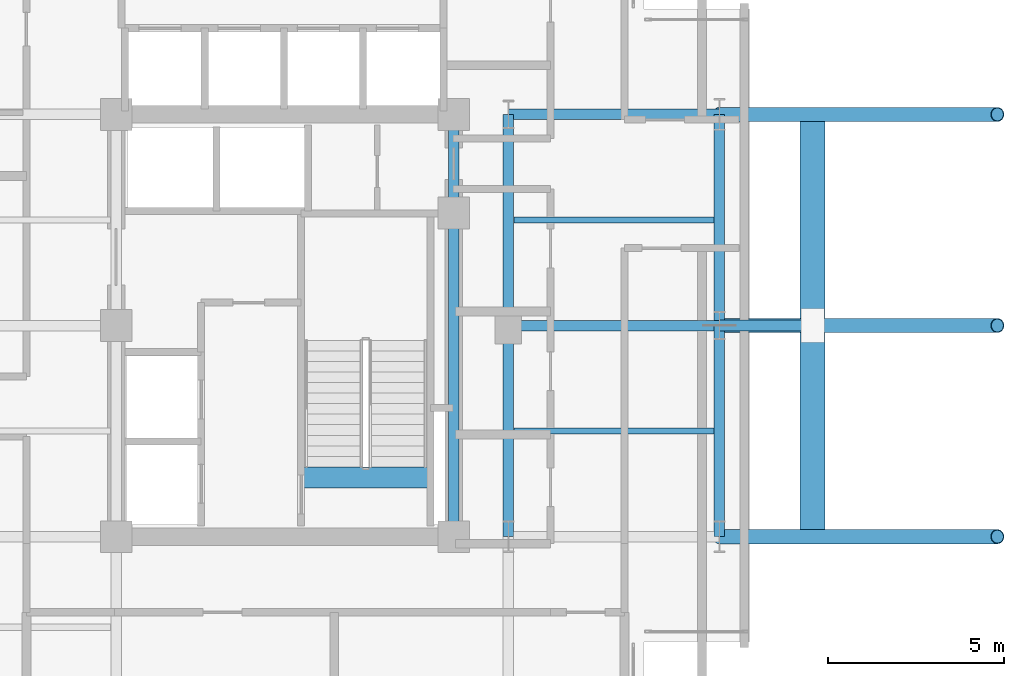
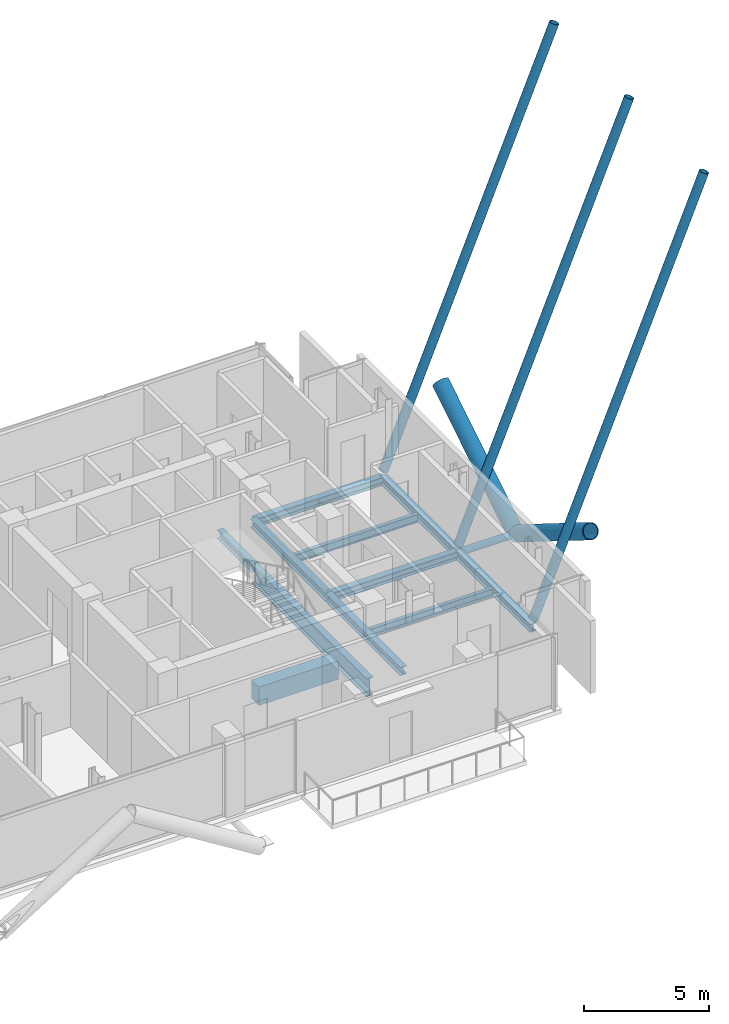
# One storey, part 12 of 26: 11 beams, 6 members.
"""IFC4 building model written with IfcOpenShell, lengths in metres."""

from ifc_helpers import new_model, si_unit, direction, frame, origin, origin_2d, place, context, subcontext, project, spatial, rectangle, hollow_circle, i_section, extrude, material, material_profile, profile_set, type_object, element, save


model = new_model("IFC4")

# Units and contexts
model_context = context("Model", 3, precision=1e-05, world=origin(), true_north=direction((0.0, 1.0)))
body_context = subcontext(model_context, "Body", "Model", "MODEL_VIEW")
ifc_project = project(units=[si_unit("LENGTHUNIT", "METRE"), si_unit("AREAUNIT", "SQUARE_METRE"), si_unit("VOLUMEUNIT", "CUBIC_METRE"), si_unit("PLANEANGLEUNIT", "RADIAN"), si_unit("MASSUNIT", "GRAM", prefix="KILO"), si_unit("THERMODYNAMICTEMPERATUREUNIT", "KELVIN"), si_unit("POWERUNIT", "WATT")], contexts=[model_context])

# Site, building, storey
site_placement = place(None, origin())
site = spatial("IfcSite", under=ifc_project, at=site_placement, CompositionType="ELEMENT")
building_placement = place(site_placement, origin())
building = spatial("IfcBuilding", under=site, at=building_placement, Name="Svarakhadi Broadcast Tower", CompositionType="ELEMENT")
storey_placement = place(building_placement, frame((0.0, 0.0, 184.199951171875)))
storey = spatial("IfcBuildingStorey", under=building, at=storey_placement, Name="L45", CompositionType="ELEMENT", Elevation=184.199951171875)

# Beams
ifc_material_1 = material(Name="Steel S355J2 (IS 2062 E350C)", Category="steel")
ifc_material_profile_1 = material_profile(ifc_material_1, i_section(OverallWidth=0.179931640625, OverallDepth=0.39990234375, WebThickness=0.008544921875, FlangeThickness=0.013427734375, FilletRadius=0.02099609375, at=origin_2d()), Name="NPB 400x180x66")
ifc_profile_set_1 = profile_set([ifc_material_profile_1], Name="Steel S355J2 (IS 2062 E350C)")
beam_type_1 = type_object("IfcBeamType", Name="Beam_NPB400", PredefinedType="BEAM", material=ifc_profile_set_1)
for number, where, z_axis, x_axis, name in (
    (1, (35.31005859375, 9.0, -0.409912109375), (1.0, 0.0, 0.0), (0.0, 1.0, 0.0), "L45 Secondary Composite Beam SB016"),
    (2, (35.31005859375, 15.0, -0.409912109375), (1.0, 0.0, 0.0), (0.0, 1.0, 0.0), "L45 Secondary Composite Beam SB017"),
):
    element("IfcBeam", number, at=place(storey_placement, frame(where, z_axis=z_axis, x_axis=x_axis)), inside=storey, type_object=beam_type_1, Name=name, PredefinedType="BEAM", context=body_context, shape_type="SweptSolid", body=[
        extrude(i_section(OverallWidth=0.179931640625, OverallDepth=0.39990234375, WebThickness=0.008544921875, FlangeThickness=0.013427734375, FilletRadius=0.02099609375, at=origin_2d()), origin(), (0.0, 0.0, 1.0), 5.679931640625),
    ])
ifc_material_2 = material(Name="Concrete C50/60 (IS 456 M60)", Category="concrete")
ifc_material_profile_2 = material_profile(ifc_material_2, rectangle(XDim=0.60009765625, YDim=0.89990234375, at=origin_2d()), Name="RC 600x900")
ifc_profile_set_2 = profile_set([ifc_material_profile_2], Name="Concrete C50/60 (IS 456 M60)")
beam_type_2 = type_object("IfcBeamType", Name="Coupling_RC600", PredefinedType="USERDEFINED", material=ifc_profile_set_2)
beam_1_placement = place(storey_placement, frame((29.260009765625, 7.679931640625, -0.449951171875), z_axis=(1.0, 0.0, 0.0), x_axis=(0.0, 1.0, 0.0)))
element("IfcBeam", 3, at=beam_1_placement, inside=storey, type_object=beam_type_2, Name="L45 Stair ST-02 Landing Throat Trimmer Beam CB-01", ObjectType="GIRDER", PredefinedType="USERDEFINED", context=body_context, shape_type="SweptSolid", body=[
    extrude(rectangle(XDim=0.60009765625, YDim=0.89990234375, at=origin_2d()), origin(), (0.0, 0.0, 1.0), 3.679931640625),
])

# Members
ifc_material_3 = material(Name="Steel S460ML (IS 2062 E450BR)", Category="steel")
ifc_material_profile_3 = material_profile(ifc_material_3, hollow_circle(Radius=0.35546875, WallThickness=0.034912109375, at=origin_2d()), Name="CHS 711x35")
ifc_profile_set_3 = profile_set([ifc_material_profile_3], Name="Steel S460ML (IS 2062 E450BR)")
member_type_1 = type_object("IfcMemberType", Name="Exo_Brace_CHS711", PredefinedType="BRACE", material=ifc_profile_set_3)
for number, where, z_axis, x_axis, name in (
    (4, (43.800048828125, 12.0, -0.371826171875), (0.0, -0.847998304005, 0.529998940003), (1.0, 0.0, 0.0), "L45 Exposed Bronze Exoskeleton Diagonal E06"),
    (5, (43.800048828125, 12.0, -0.371826171875), (0.0, 0.847998304005, 0.529998940003), (-1.0, 0.0, 0.0), "L45 Exposed Bronze Exoskeleton Diagonal E07"),
):
    element("IfcMember", number, at=place(storey_placement, frame(where, z_axis=z_axis, x_axis=x_axis)), inside=storey, type_object=member_type_1, Name=name, PredefinedType="BRACE", context=body_context, shape_type="SweptSolid", body=[
        extrude(hollow_circle(Radius=0.35546875, WallThickness=0.034912109375, at=origin_2d()), origin(), (0.0, 0.0, 1.0), 7.075439453125),
    ])
ifc_material_profile_4 = material_profile(ifc_material_3, hollow_circle(Radius=0.161865234375, WallThickness=0.01611328125, at=origin_2d()), Name="CHS 323.9x16")
ifc_profile_set_4 = profile_set([ifc_material_profile_4], Name="Steel S460ML (IS 2062 E450BR)")
member_type_2 = type_object("IfcMemberType", Name="Exo_Radial_Strut_Z2", PredefinedType="STRUT", material=ifc_profile_set_4)
member_placement = place(storey_placement, frame((43.800048828125, 12.0, -0.371826171875), z_axis=(-1.0, 0.0, 0.0), x_axis=(0.0, -1.0, 0.0)))
element("IfcMember", 6, at=member_placement, inside=storey, type_object=member_type_2, Name="L45 Exoskeleton Radial Tie Strut E04", PredefinedType="STRUT", context=body_context, shape_type="SweptSolid", body=[
    extrude(hollow_circle(Radius=0.161865234375, WallThickness=0.01611328125, at=origin_2d()), origin(), (0.0, 0.0, 1.0), 2.650146484375),
])

# Beams
ifc_material_profile_5 = material_profile(ifc_material_1, i_section(OverallWidth=0.300048828125, OverallDepth=0.39990234375, WebThickness=0.013427734375, FlangeThickness=0.02392578125, FilletRadius=0.027099609375, at=origin_2d()), Name="WPB 400x300x155")
ifc_profile_set_5 = profile_set([ifc_material_profile_5], Name="Steel S355J2 (IS 2062 E350C)")
beam_type_3 = type_object("IfcBeamType", Name="Girder_WPB400", PredefinedType="USERDEFINED", material=ifc_profile_set_5)
for number, where, z_axis, x_axis, name in (
    (7, (35.14990234375, 12.0, -0.409912109375), (1.0, 0.0, 0.0), (0.0, 1.0, 0.0), "L45 Primary E-W Girder G019"),
    (8, (35.14990234375, 18.0, -0.409912109375), (1.0, 0.0, 0.0), (0.0, 1.0, 0.0), "L45 Primary E-W Girder G025"),
):
    element("IfcBeam", number, at=place(storey_placement, frame(where, z_axis=z_axis, x_axis=x_axis)), inside=storey, type_object=beam_type_3, Name=name, ObjectType="GIRDER", PredefinedType="USERDEFINED", context=body_context, shape_type="SweptSolid", body=[
        extrude(i_section(OverallWidth=0.300048828125, OverallDepth=0.39990234375, WebThickness=0.013427734375, FlangeThickness=0.02392578125, FilletRadius=0.027099609375, at=origin_2d()), origin(), (0.0, 0.0, 1.0), 6.0),
    ])
beam_2_placement = place(storey_placement, frame((33.60009765625, 15.199951171875, -0.409912109375), z_axis=(0.0, 1.0, 0.0), x_axis=(-1.0, 0.0, 0.0)))
element("IfcBeam", 9, at=beam_2_placement, inside=storey, type_object=beam_type_3, Name="L45 Primary N-S Girder G055", ObjectType="GIRDER", PredefinedType="USERDEFINED", context=body_context, shape_type="SweptSolid", body=[
    extrude(i_section(OverallWidth=0.300048828125, OverallDepth=0.39990234375, WebThickness=0.013427734375, FlangeThickness=0.02392578125, FilletRadius=0.027099609375, at=origin_2d()), origin(), (0.0, 0.0, 1.0), 2.800048828125),
])
for number, where, z_axis, x_axis, name in (
    (10, (35.14990234375, 6.0, -0.409912109375), (0.0, 1.0, 0.0), (-1.0, 0.0, 0.0), "L45 Primary N-S Girder G057"),
    (11, (35.14990234375, 12.0, -0.409912109375), (0.0, 1.0, 0.0), (-1.0, 0.0, 0.0), "L45 Primary N-S Girder G058"),
    (12, (41.14990234375, 6.0, -0.409912109375), (0.0, 1.0, 0.0), (-1.0, 0.0, 0.0), "L45 Primary N-S Girder G059"),
    (13, (41.14990234375, 12.0, -0.409912109375), (0.0, 1.0, 0.0), (-1.0, 0.0, 0.0), "L45 Primary N-S Girder G060"),
):
    element("IfcBeam", number, at=place(storey_placement, frame(where, z_axis=z_axis, x_axis=x_axis)), inside=storey, type_object=beam_type_3, Name=name, ObjectType="GIRDER", PredefinedType="USERDEFINED", context=body_context, shape_type="SweptSolid", body=[
        extrude(i_section(OverallWidth=0.300048828125, OverallDepth=0.39990234375, WebThickness=0.013427734375, FlangeThickness=0.02392578125, FilletRadius=0.027099609375, at=origin_2d()), origin(), (0.0, 0.0, 1.0), 6.0),
    ])
ifc_material_profile_6 = material_profile(ifc_material_3, i_section(OverallWidth=0.300048828125, OverallDepth=0.89990234375, WebThickness=0.0185546875, FlangeThickness=0.034912109375, FilletRadius=0.030029296875, at=origin_2d()), Name="WPB 900x300x291")
ifc_profile_set_6 = profile_set([ifc_material_profile_6], Name="Steel S460ML (IS 2062 E450BR)")
beam_type_4 = type_object("IfcBeamType", Name="Girder_WPB900", PredefinedType="USERDEFINED", material=ifc_profile_set_6)
beam_3_placement = place(storey_placement, frame((33.60009765625, 6.0, -0.659912109375), z_axis=(0.0, 1.0, 0.0), x_axis=(-1.0, 0.0, 0.0)))
element("IfcBeam", 14, at=beam_3_placement, inside=storey, type_object=beam_type_4, Name="L45 Primary N-S Girder G054", ObjectType="GIRDER", PredefinedType="USERDEFINED", context=body_context, shape_type="SweptSolid", body=[
    extrude(i_section(OverallWidth=0.300048828125, OverallDepth=0.89990234375, WebThickness=0.0185546875, FlangeThickness=0.034912109375, FilletRadius=0.030029296875, at=origin_2d()), origin(), (0.0, 0.0, 1.0), 9.199951171875),
])

# Members
ifc_material_profile_7 = material_profile(ifc_material_3, hollow_circle(Radius=0.203125, WallThickness=0.02001953125, at=origin_2d()), Name="CHS 406.4x20")
ifc_profile_set_7 = profile_set([ifc_material_profile_7], Name="Steel S460ML (IS 2062 E450BR)")
member_type_3 = type_object("IfcMemberType", Name="Pool_Truss_Brace", PredefinedType="BRACE", material=ifc_profile_set_7)
for number, where, z_axis, x_axis, name in (
    (15, (41.14990234375, 6.0, 0.0), (0.381788638377, 0.0, 0.924249660864), (0.0, 1.0, 0.0), "L50 Sky Pool Tip Mega-Raker Strut PT-R2-1"),
    (16, (41.14990234375, 12.0, 0.0), (0.381788638377, 0.0, 0.924249660864), (0.0, 1.0, 0.0), "L50 Sky Pool Tip Mega-Raker Strut PT-R2-2"),
    (17, (41.14990234375, 18.0, 0.0), (0.381788638377, 0.0, 0.924249660864), (0.0, 1.0, 0.0), "L50 Sky Pool Tip Mega-Raker Strut PT-R2-3"),
):
    element("IfcMember", number, at=place(storey_placement, frame(where, z_axis=z_axis, x_axis=x_axis)), inside=storey, type_object=member_type_3, Name=name, PredefinedType="BRACE", context=body_context, shape_type="SweptSolid", body=[
        extrude(hollow_circle(Radius=0.203125, WallThickness=0.02001953125, at=origin_2d()), origin(), (0.0, 0.0, 1.0), 20.6923828125),
    ])

save(model, "model.ifc")
